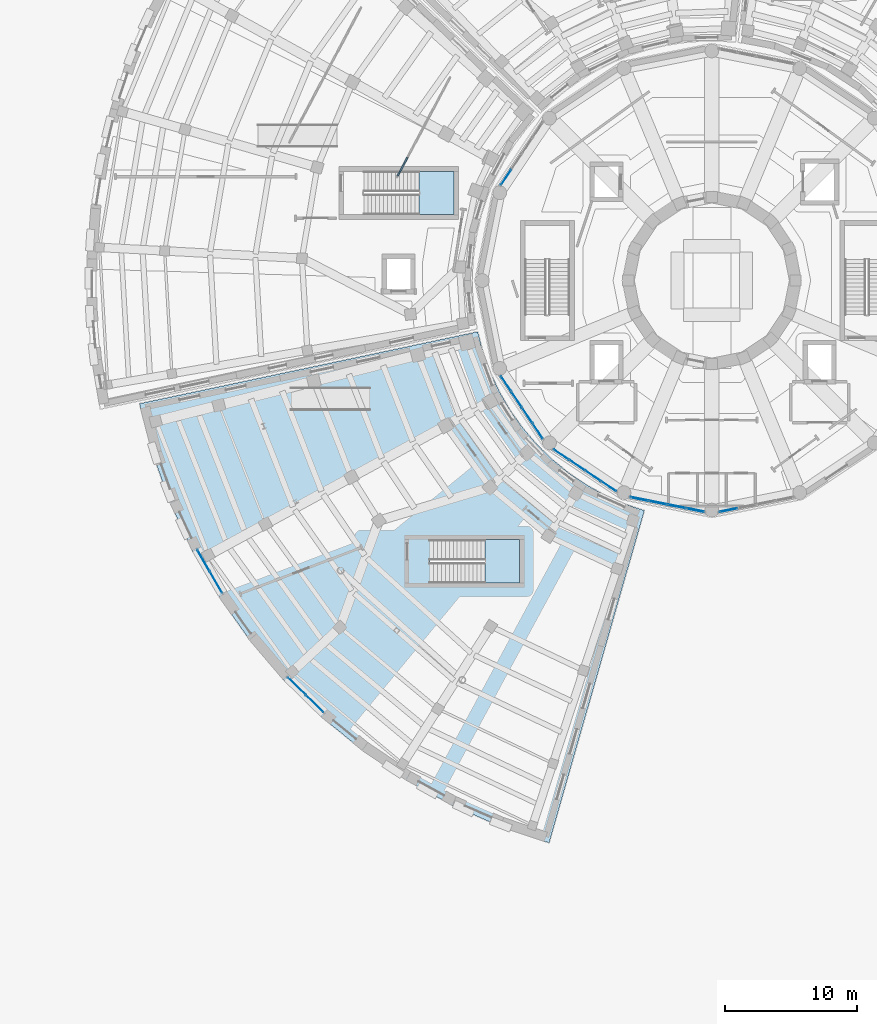
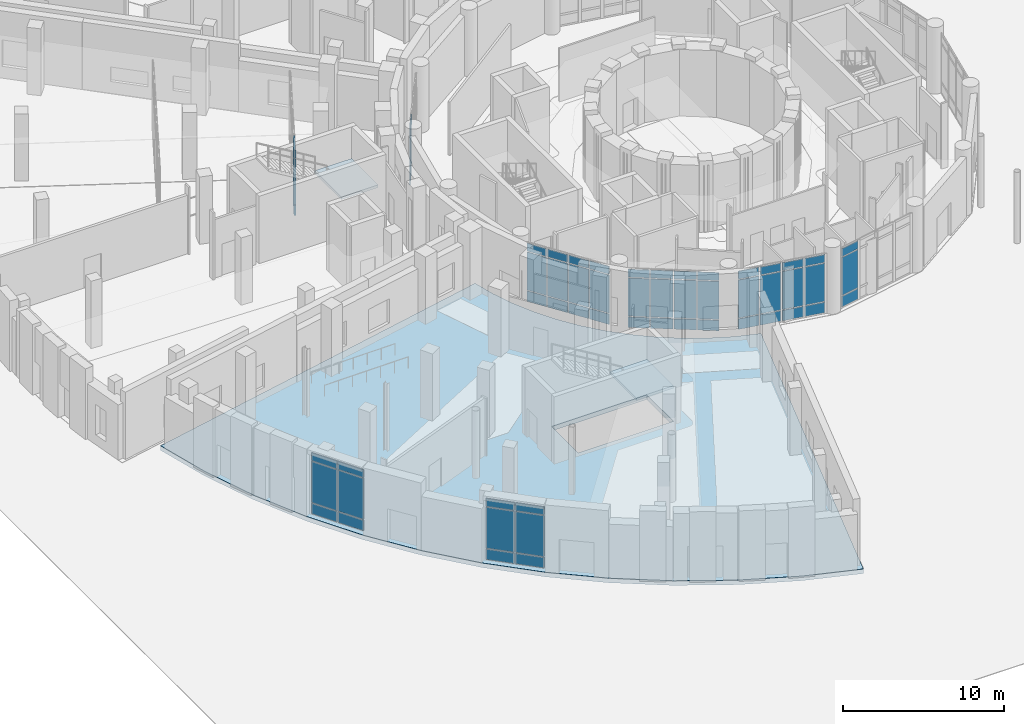
# One storey, part 33 of 74: 57 plates, 3 slabs, 10 elements without a shape of their own.
"""IFC4 building model written with IfcOpenShell, lengths in metres."""

from ifc_helpers import new_model, si_unit, direction, frame, origin, origin_2d, place, context, subcontext, project, spatial, polyline, rectangle, outline, extrude, material, layer, layer_set, type_object, element, aggregate, save


model = new_model("IFC4")

# Units and contexts
model_context = context("Model", 3, precision=1e-05, world=origin(), true_north=direction((0.0, 1.0)))
body_context = subcontext(model_context, "Body", "Model", "MODEL_VIEW")
ifc_project = project(units=[si_unit("LENGTHUNIT", "METRE"), si_unit("AREAUNIT", "SQUARE_METRE"), si_unit("VOLUMEUNIT", "CUBIC_METRE"), si_unit("PLANEANGLEUNIT", "RADIAN"), si_unit("MASSUNIT", "GRAM", prefix="KILO")], contexts=[model_context])

# Site, building, storey
site_placement = place(None, origin())
site = spatial("IfcSite", under=ifc_project, at=site_placement, CompositionType="ELEMENT")
building_placement = place(site_placement, origin())
building = spatial("IfcBuilding", under=site, at=building_placement, Name="Soyqirgoq Riverine Aquarium", CompositionType="ELEMENT")
storey_placement = place(building_placement, origin())
storey = spatial("IfcBuildingStorey", under=building, at=storey_placement, Name="L01", CompositionType="ELEMENT", Elevation=0.0)

# Curtain wall, plates
ifc_material_1 = material(Name="Cast polymethyl methacrylate PMMA Habitat Viewing Glazing", Category="glass")
curtain_wall_type_1 = type_object("IfcCurtainWallType", Name="CW_Interior_TankVitrine", PredefinedType="NOTDEFINED", material=ifc_material_1)
curtain_wall_1_placement = place(storey_placement, origin())
curtain_wall_1 = element("IfcCurtainWall", 1, at=curtain_wall_1_placement, inside=storey, type_object=curtain_wall_type_1, Name="V3 L01 Curtain Wall 147", PredefinedType="NOTDEFINED")
ifc_material_2 = material(Name="Cast polymethyl methacrylate PMMA", Category="glass")
ifc_layer_1 = layer(ifc_material_2, 0.1201171875)
ifc_layer_set_1 = layer_set([ifc_layer_1], Name="Cast polymethyl methacrylate PMMA")
plate_type_1 = type_object("IfcPlateType", Name="CWAcrylicPanel_120", PredefinedType="CURTAIN_PANEL", material=ifc_layer_set_1)
plate_1_placement = place(storey_placement, frame((32.4912109375, 65.648193359375, 0.074951171875), z_axis=(0.0, 0.0, 1.0), x_axis=(-0.469472953199, -0.882946853562, 0.0)))
plate_1 = element("IfcPlate", 2, at=plate_1_placement, type_object=plate_type_1, Name="CW-07 panel 5.1", PredefinedType="CURTAIN_PANEL", context=body_context, shape_type="SweptSolid", body=[
    extrude(rectangle(XDim=1.59033203125, YDim=0.1201171875, at=origin_2d()), origin(), (0.0, 0.0, 1.0), 0.78759765625),
])
plate_2_placement = place(storey_placement, frame((32.4912109375, 65.648193359375, 0.9375), z_axis=(0.0, 0.0, 1.0), x_axis=(-0.469472953199, -0.882946853562, 0.0)))
plate_2 = element("IfcPlate", 3, at=plate_2_placement, type_object=plate_type_1, Name="CW-07 panel 5.2", PredefinedType="CURTAIN_PANEL", context=body_context, shape_type="SweptSolid", body=[
    extrude(rectangle(XDim=1.59033203125, YDim=0.1201171875, at=origin_2d()), origin(), (0.0, 0.0, 1.0), 3.425048828125),
])
plate_3_placement = place(storey_placement, frame((32.4912109375, 65.648193359375, 4.4375), z_axis=(0.0, 0.0, 1.0), x_axis=(-0.469472953199, -0.882946853562, 0.0)))
plate_3 = element("IfcPlate", 4, at=plate_3_placement, type_object=plate_type_1, Name="CW-07 panel 5.3", PredefinedType="CURTAIN_PANEL", context=body_context, shape_type="SweptSolid", body=[
    extrude(rectangle(XDim=1.59033203125, YDim=0.1201171875, at=origin_2d()), origin(), (0.0, 0.0, 1.0), 0.58740234375),
])
aggregate(curtain_wall_1, [plate_1, plate_2, plate_3])

ifc_material_3 = material(Name="Anodised aluminium thermally broken triple low-E glazing", Category="aluminium")
curtain_wall_type_2 = type_object("IfcCurtainWallType", Name="CW_DrumGallery_Unitised", PredefinedType="NOTDEFINED", material=ifc_material_3)
curtain_wall_2_placement = place(storey_placement, origin())
curtain_wall_2 = element("IfcCurtainWall", 5, at=curtain_wall_2_placement, inside=storey, type_object=curtain_wall_type_2, Name="V1 L01 Curtain Wall 023", PredefinedType="NOTDEFINED")
ifc_material_4 = material(Name="Triple insulated laminated low-E glass", Category="glass")
ifc_layer_2 = layer(ifc_material_4, 0.0458984375)
ifc_layer_set_2 = layer_set([ifc_layer_2], Name="Triple insulated laminated low-E glass")
plate_type_2 = type_object("IfcPlateType", Name="CWGlazedPanel_46", PredefinedType="CURTAIN_PANEL", material=ifc_layer_set_2)
plate_4_placement = place(storey_placement, frame((40.36083984375, 64.841552734375, 0.074951171875), z_axis=(0.0, 0.0, 1.0), x_axis=(-0.555573730262, -0.831467275509, 0.0)))
plate_4 = element("IfcPlate", 6, at=plate_4_placement, type_object=plate_type_2, Name="CW-01 panel 4.1", PredefinedType="CURTAIN_PANEL", context=body_context, shape_type="SweptSolid", body=[
    extrude(rectangle(XDim=1.339111328125, YDim=0.0458984375, at=origin_2d()), origin(), (0.0, 0.0, 1.0), 0.78759765625),
])
plate_5_placement = place(storey_placement, frame((40.36083984375, 64.841552734375, 0.9375), z_axis=(0.0, 0.0, 1.0), x_axis=(-0.555573730262, -0.831467275509, 0.0)))
plate_5 = element("IfcPlate", 7, at=plate_5_placement, type_object=plate_type_2, Name="CW-01 panel 4.2", PredefinedType="CURTAIN_PANEL", context=body_context, shape_type="SweptSolid", body=[
    extrude(rectangle(XDim=1.339111328125, YDim=0.0458984375, at=origin_2d()), origin(), (0.0, 0.0, 1.0), 2.875),
])
plate_6_placement = place(storey_placement, frame((40.36083984375, 64.841552734375, 3.887451171875), z_axis=(0.0, 0.0, 1.0), x_axis=(-0.555573730262, -0.831467275509, 0.0)))
plate_6 = element("IfcPlate", 8, at=plate_6_placement, type_object=plate_type_2, Name="CW-01 panel 4.3", PredefinedType="CURTAIN_PANEL", context=body_context, shape_type="SweptSolid", body=[
    extrude(rectangle(XDim=1.339111328125, YDim=0.0458984375, at=origin_2d()), origin(), (0.0, 0.0, 1.0), 0.58740234375),
])
aggregate(curtain_wall_2, [plate_4, plate_5, plate_6])

curtain_wall_3_placement = place(storey_placement, origin())
curtain_wall_3 = element("IfcCurtainWall", 9, at=curtain_wall_3_placement, inside=storey, type_object=curtain_wall_type_2, Name="V1 L01 Curtain Wall 034", PredefinedType="NOTDEFINED")
plate_7_placement = place(storey_placement, frame((40.36083984375, 49.158447265625, 0.074951171875), z_axis=(0.0, 0.0, 1.0), x_axis=(0.555573730262, -0.831467275509, 0.0)))
plate_7 = element("IfcPlate", 10, at=plate_7_placement, type_object=plate_type_2, Name="CW-01 panel 1.1", PredefinedType="CURTAIN_PANEL", context=body_context, shape_type="SweptSolid", body=[
    extrude(rectangle(XDim=1.339111328125, YDim=0.0458984375, at=origin_2d()), origin(), (0.0, 0.0, 1.0), 0.78759765625),
])
plate_8_placement = place(storey_placement, frame((40.36083984375, 49.158447265625, 0.9375), z_axis=(0.0, 0.0, 1.0), x_axis=(0.555573730262, -0.831467275509, 0.0)))
plate_8 = element("IfcPlate", 11, at=plate_8_placement, type_object=plate_type_2, Name="CW-01 panel 1.2", PredefinedType="CURTAIN_PANEL", context=body_context, shape_type="SweptSolid", body=[
    extrude(rectangle(XDim=1.339111328125, YDim=0.0458984375, at=origin_2d()), origin(), (0.0, 0.0, 1.0), 2.875),
])
plate_9_placement = place(storey_placement, frame((40.36083984375, 49.158447265625, 3.887451171875), z_axis=(0.0, 0.0, 1.0), x_axis=(0.555573730262, -0.831467275509, 0.0)))
plate_9 = element("IfcPlate", 12, at=plate_9_placement, type_object=plate_type_2, Name="CW-01 panel 1.3", PredefinedType="CURTAIN_PANEL", context=body_context, shape_type="SweptSolid", body=[
    extrude(rectangle(XDim=1.339111328125, YDim=0.0458984375, at=origin_2d()), origin(), (0.0, 0.0, 1.0), 0.58740234375),
])
plate_10_placement = place(storey_placement, frame((41.160400390625, 47.9619140625, 0.074951171875), z_axis=(0.0, 0.0, 1.0), x_axis=(0.555573730262, -0.831467275509, 0.0)))
plate_10 = element("IfcPlate", 13, at=plate_10_placement, type_object=plate_type_2, Name="CW-01 panel 2.1", PredefinedType="CURTAIN_PANEL", context=body_context, shape_type="SweptSolid", body=[
    extrude(rectangle(XDim=1.379150390625, YDim=0.0458984375, at=origin_2d()), origin(), (0.0, 0.0, 1.0), 0.78759765625),
])
plate_11_placement = place(storey_placement, frame((41.160400390625, 47.9619140625, 0.9375), z_axis=(0.0, 0.0, 1.0), x_axis=(0.555573730262, -0.831467275509, 0.0)))
plate_11 = element("IfcPlate", 14, at=plate_11_placement, type_object=plate_type_2, Name="CW-01 panel 2.2", PredefinedType="CURTAIN_PANEL", context=body_context, shape_type="SweptSolid", body=[
    extrude(rectangle(XDim=1.379150390625, YDim=0.0458984375, at=origin_2d()), origin(), (0.0, 0.0, 1.0), 2.875),
])
plate_12_placement = place(storey_placement, frame((41.160400390625, 47.9619140625, 3.887451171875), z_axis=(0.0, 0.0, 1.0), x_axis=(0.555573730262, -0.831467275509, 0.0)))
plate_12 = element("IfcPlate", 15, at=plate_12_placement, type_object=plate_type_2, Name="CW-01 panel 2.3", PredefinedType="CURTAIN_PANEL", context=body_context, shape_type="SweptSolid", body=[
    extrude(rectangle(XDim=1.379150390625, YDim=0.0458984375, at=origin_2d()), origin(), (0.0, 0.0, 1.0), 0.58740234375),
])
plate_13_placement = place(storey_placement, frame((41.970947265625, 46.748779296875, 0.074951171875), z_axis=(0.0, 0.0, 1.0), x_axis=(0.555573730262, -0.831467275509, 0.0)))
plate_13 = element("IfcPlate", 16, at=plate_13_placement, type_object=plate_type_2, Name="CW-01 panel 3.1", PredefinedType="CURTAIN_PANEL", context=body_context, shape_type="SweptSolid", body=[
    extrude(rectangle(XDim=1.379150390625, YDim=0.0458984375, at=origin_2d()), origin(), (0.0, 0.0, 1.0), 0.78759765625),
])
plate_14_placement = place(storey_placement, frame((41.970947265625, 46.748779296875, 0.9375), z_axis=(0.0, 0.0, 1.0), x_axis=(0.555573730262, -0.831467275509, 0.0)))
plate_14 = element("IfcPlate", 17, at=plate_14_placement, type_object=plate_type_2, Name="CW-01 panel 3.2", PredefinedType="CURTAIN_PANEL", context=body_context, shape_type="SweptSolid", body=[
    extrude(rectangle(XDim=1.379150390625, YDim=0.0458984375, at=origin_2d()), origin(), (0.0, 0.0, 1.0), 2.875),
])
plate_15_placement = place(storey_placement, frame((41.970947265625, 46.748779296875, 3.887451171875), z_axis=(0.0, 0.0, 1.0), x_axis=(0.555573730262, -0.831467275509, 0.0)))
plate_15 = element("IfcPlate", 18, at=plate_15_placement, type_object=plate_type_2, Name="CW-01 panel 3.3", PredefinedType="CURTAIN_PANEL", context=body_context, shape_type="SweptSolid", body=[
    extrude(rectangle(XDim=1.379150390625, YDim=0.0458984375, at=origin_2d()), origin(), (0.0, 0.0, 1.0), 0.58740234375),
])
plate_16_placement = place(storey_placement, frame((42.7705078125, 45.55224609375, 0.074951171875), z_axis=(0.0, 0.0, 1.0), x_axis=(0.555573730262, -0.831467275509, 0.0)))
plate_16 = element("IfcPlate", 19, at=plate_16_placement, type_object=plate_type_2, Name="CW-01 panel 4.1", PredefinedType="CURTAIN_PANEL", context=body_context, shape_type="SweptSolid", body=[
    extrude(rectangle(XDim=1.339111328125, YDim=0.0458984375, at=origin_2d()), origin(), (0.0, 0.0, 1.0), 0.78759765625),
])
plate_17_placement = place(storey_placement, frame((42.7705078125, 45.55224609375, 0.9375), z_axis=(0.0, 0.0, 1.0), x_axis=(0.555573730262, -0.831467275509, 0.0)))
plate_17 = element("IfcPlate", 20, at=plate_17_placement, type_object=plate_type_2, Name="CW-01 panel 4.2", PredefinedType="CURTAIN_PANEL", context=body_context, shape_type="SweptSolid", body=[
    extrude(rectangle(XDim=1.339111328125, YDim=0.0458984375, at=origin_2d()), origin(), (0.0, 0.0, 1.0), 2.875),
])
plate_18_placement = place(storey_placement, frame((42.7705078125, 45.55224609375, 3.887451171875), z_axis=(0.0, 0.0, 1.0), x_axis=(0.555573730262, -0.831467275509, 0.0)))
plate_18 = element("IfcPlate", 21, at=plate_18_placement, type_object=plate_type_2, Name="CW-01 panel 4.3", PredefinedType="CURTAIN_PANEL", context=body_context, shape_type="SweptSolid", body=[
    extrude(rectangle(XDim=1.339111328125, YDim=0.0458984375, at=origin_2d()), origin(), (0.0, 0.0, 1.0), 0.58740234375),
])
aggregate(curtain_wall_3, [plate_7, plate_8, plate_9, plate_10, plate_11, plate_12, plate_13, plate_14, plate_15, plate_16, plate_17, plate_18])

curtain_wall_4_placement = place(storey_placement, origin())
curtain_wall_4 = element("IfcCurtainWall", 22, at=curtain_wall_4_placement, inside=storey, type_object=curtain_wall_type_2, Name="V1 L01 Curtain Wall 041", PredefinedType="NOTDEFINED")
plate_19_placement = place(storey_placement, frame((44.55224609375, 43.7705078125, 0.074951171875), z_axis=(0.0, 0.0, 1.0), x_axis=(0.831467275509, -0.555573730262, 0.0)))
plate_19 = element("IfcPlate", 23, at=plate_19_placement, type_object=plate_type_2, Name="CW-01 panel 1.1", PredefinedType="CURTAIN_PANEL", context=body_context, shape_type="SweptSolid", body=[
    extrude(rectangle(XDim=1.339111328125, YDim=0.0458984375, at=origin_2d()), origin(), (0.0, 0.0, 1.0), 0.78759765625),
])
plate_20_placement = place(storey_placement, frame((44.55224609375, 43.7705078125, 0.9375), z_axis=(0.0, 0.0, 1.0), x_axis=(0.831467275509, -0.555573730262, 0.0)))
plate_20 = element("IfcPlate", 24, at=plate_20_placement, type_object=plate_type_2, Name="CW-01 panel 1.2", PredefinedType="CURTAIN_PANEL", context=body_context, shape_type="SweptSolid", body=[
    extrude(rectangle(XDim=1.339111328125, YDim=0.0458984375, at=origin_2d()), origin(), (0.0, 0.0, 1.0), 2.875),
])
plate_21_placement = place(storey_placement, frame((44.55224609375, 43.7705078125, 3.887451171875), z_axis=(0.0, 0.0, 1.0), x_axis=(0.831467275509, -0.555573730262, 0.0)))
plate_21 = element("IfcPlate", 25, at=plate_21_placement, type_object=plate_type_2, Name="CW-01 panel 1.3", PredefinedType="CURTAIN_PANEL", context=body_context, shape_type="SweptSolid", body=[
    extrude(rectangle(XDim=1.339111328125, YDim=0.0458984375, at=origin_2d()), origin(), (0.0, 0.0, 1.0), 0.58740234375),
])
plate_22_placement = place(storey_placement, frame((45.748779296875, 42.970947265625, 0.074951171875), z_axis=(0.0, 0.0, 1.0), x_axis=(0.831467275509, -0.555573730262, 0.0)))
plate_22 = element("IfcPlate", 26, at=plate_22_placement, type_object=plate_type_2, Name="CW-01 panel 2.1", PredefinedType="CURTAIN_PANEL", context=body_context, shape_type="SweptSolid", body=[
    extrude(rectangle(XDim=1.379150390625, YDim=0.0458984375, at=origin_2d()), origin(), (0.0, 0.0, 1.0), 0.78759765625),
])
plate_23_placement = place(storey_placement, frame((45.748779296875, 42.970947265625, 0.9375), z_axis=(0.0, 0.0, 1.0), x_axis=(0.831467275509, -0.555573730262, 0.0)))
plate_23 = element("IfcPlate", 27, at=plate_23_placement, type_object=plate_type_2, Name="CW-01 panel 2.2", PredefinedType="CURTAIN_PANEL", context=body_context, shape_type="SweptSolid", body=[
    extrude(rectangle(XDim=1.379150390625, YDim=0.0458984375, at=origin_2d()), origin(), (0.0, 0.0, 1.0), 2.875),
])
plate_24_placement = place(storey_placement, frame((45.748779296875, 42.970947265625, 3.887451171875), z_axis=(0.0, 0.0, 1.0), x_axis=(0.831467275509, -0.555573730262, 0.0)))
plate_24 = element("IfcPlate", 28, at=plate_24_placement, type_object=plate_type_2, Name="CW-01 panel 2.3", PredefinedType="CURTAIN_PANEL", context=body_context, shape_type="SweptSolid", body=[
    extrude(rectangle(XDim=1.379150390625, YDim=0.0458984375, at=origin_2d()), origin(), (0.0, 0.0, 1.0), 0.58740234375),
])
plate_25_placement = place(storey_placement, frame((46.9619140625, 42.160400390625, 0.074951171875), z_axis=(0.0, 0.0, 1.0), x_axis=(0.831467275509, -0.555573730262, 0.0)))
plate_25 = element("IfcPlate", 29, at=plate_25_placement, type_object=plate_type_2, Name="CW-01 panel 3.1", PredefinedType="CURTAIN_PANEL", context=body_context, shape_type="SweptSolid", body=[
    extrude(rectangle(XDim=1.379150390625, YDim=0.0458984375, at=origin_2d()), origin(), (0.0, 0.0, 1.0), 0.78759765625),
])
plate_26_placement = place(storey_placement, frame((46.9619140625, 42.160400390625, 0.9375), z_axis=(0.0, 0.0, 1.0), x_axis=(0.831467275509, -0.555573730262, 0.0)))
plate_26 = element("IfcPlate", 30, at=plate_26_placement, type_object=plate_type_2, Name="CW-01 panel 3.2", PredefinedType="CURTAIN_PANEL", context=body_context, shape_type="SweptSolid", body=[
    extrude(rectangle(XDim=1.379150390625, YDim=0.0458984375, at=origin_2d()), origin(), (0.0, 0.0, 1.0), 2.875),
])
plate_27_placement = place(storey_placement, frame((46.9619140625, 42.160400390625, 3.887451171875), z_axis=(0.0, 0.0, 1.0), x_axis=(0.831467275509, -0.555573730262, 0.0)))
plate_27 = element("IfcPlate", 31, at=plate_27_placement, type_object=plate_type_2, Name="CW-01 panel 3.3", PredefinedType="CURTAIN_PANEL", context=body_context, shape_type="SweptSolid", body=[
    extrude(rectangle(XDim=1.379150390625, YDim=0.0458984375, at=origin_2d()), origin(), (0.0, 0.0, 1.0), 0.58740234375),
])
plate_28_placement = place(storey_placement, frame((48.158447265625, 41.36083984375, 0.074951171875), z_axis=(0.0, 0.0, 1.0), x_axis=(0.831467275509, -0.555573730262, 0.0)))
plate_28 = element("IfcPlate", 32, at=plate_28_placement, type_object=plate_type_2, Name="CW-01 panel 4.1", PredefinedType="CURTAIN_PANEL", context=body_context, shape_type="SweptSolid", body=[
    extrude(rectangle(XDim=1.339111328125, YDim=0.0458984375, at=origin_2d()), origin(), (0.0, 0.0, 1.0), 0.78759765625),
])
plate_29_placement = place(storey_placement, frame((48.158447265625, 41.36083984375, 0.9375), z_axis=(0.0, 0.0, 1.0), x_axis=(0.831467275509, -0.555573730262, 0.0)))
plate_29 = element("IfcPlate", 33, at=plate_29_placement, type_object=plate_type_2, Name="CW-01 panel 4.2", PredefinedType="CURTAIN_PANEL", context=body_context, shape_type="SweptSolid", body=[
    extrude(rectangle(XDim=1.339111328125, YDim=0.0458984375, at=origin_2d()), origin(), (0.0, 0.0, 1.0), 2.875),
])
plate_30_placement = place(storey_placement, frame((48.158447265625, 41.36083984375, 3.887451171875), z_axis=(0.0, 0.0, 1.0), x_axis=(0.831467275509, -0.555573730262, 0.0)))
plate_30 = element("IfcPlate", 34, at=plate_30_placement, type_object=plate_type_2, Name="CW-01 panel 4.3", PredefinedType="CURTAIN_PANEL", context=body_context, shape_type="SweptSolid", body=[
    extrude(rectangle(XDim=1.339111328125, YDim=0.0458984375, at=origin_2d()), origin(), (0.0, 0.0, 1.0), 0.58740234375),
])
aggregate(curtain_wall_4, [plate_19, plate_20, plate_21, plate_22, plate_23, plate_24, plate_25, plate_26, plate_27, plate_28, plate_29, plate_30])

curtain_wall_5_placement = place(storey_placement, origin())
curtain_wall_5 = element("IfcCurtainWall", 35, at=curtain_wall_5_placement, inside=storey, type_object=curtain_wall_type_2, Name="V1 L01 Curtain Wall 055", PredefinedType="NOTDEFINED")
plate_31_placement = place(storey_placement, frame((57.259765625, 39.550537109375, 0.074951171875), z_axis=(0.0, 0.0, 1.0), x_axis=(0.980788371338, 0.195074782196, 0.0)))
plate_31 = element("IfcPlate", 36, at=plate_31_placement, type_object=plate_type_2, Name="CW-01 panel 1.1", PredefinedType="CURTAIN_PANEL", context=body_context, shape_type="SweptSolid", body=[
    extrude(rectangle(XDim=1.339111328125, YDim=0.0458984375, at=origin_2d()), origin(), (0.0, 0.0, 1.0), 0.78759765625),
])
plate_32_placement = place(storey_placement, frame((57.259765625, 39.550537109375, 0.9375), z_axis=(0.0, 0.0, 1.0), x_axis=(0.980788371338, 0.195074782196, 0.0)))
plate_32 = element("IfcPlate", 37, at=plate_32_placement, type_object=plate_type_2, Name="CW-01 panel 1.2", PredefinedType="CURTAIN_PANEL", context=body_context, shape_type="SweptSolid", body=[
    extrude(rectangle(XDim=1.339111328125, YDim=0.0458984375, at=origin_2d()), origin(), (0.0, 0.0, 1.0), 2.875),
])
plate_33_placement = place(storey_placement, frame((57.259765625, 39.550537109375, 3.887451171875), z_axis=(0.0, 0.0, 1.0), x_axis=(0.980788371338, 0.195074782196, 0.0)))
plate_33 = element("IfcPlate", 38, at=plate_33_placement, type_object=plate_type_2, Name="CW-01 panel 1.3", PredefinedType="CURTAIN_PANEL", context=body_context, shape_type="SweptSolid", body=[
    extrude(rectangle(XDim=1.339111328125, YDim=0.0458984375, at=origin_2d()), origin(), (0.0, 0.0, 1.0), 0.58740234375),
])
aggregate(curtain_wall_5, [plate_31, plate_32, plate_33])

ifc_material_5 = material(Name="Structural silicone glazed entrance curtain wall", Category="aluminium")
curtain_wall_type_3 = type_object("IfcCurtainWallType", Name="CW_Portal_Entrance", PredefinedType="NOTDEFINED", material=ifc_material_5)
curtain_wall_6_placement = place(storey_placement, origin())
curtain_wall_6 = element("IfcCurtainWall", 39, at=curtain_wall_6_placement, inside=storey, type_object=curtain_wall_type_3, Name="V2 L01 Curtain Wall 079", PredefinedType="NOTDEFINED")
plate_34_placement = place(storey_placement, frame((25.814453125, 24.828857421875, 0.074951171875), z_axis=(0.0, 0.0, 1.0), x_axis=(-0.714262829357, 0.699877568292, 0.0)))
plate_34 = element("IfcPlate", 40, at=plate_34_placement, type_object=plate_type_2, Name="CW-04 panel 1.1", PredefinedType="CURTAIN_PANEL", context=body_context, shape_type="SweptSolid", body=[
    extrude(rectangle(XDim=1.829833984375, YDim=0.0458984375, at=origin_2d()), origin(), (0.0, 0.0, 1.0), 0.78759765625),
])
plate_35_placement = place(storey_placement, frame((25.814453125, 24.828857421875, 0.9375), z_axis=(0.0, 0.0, 1.0), x_axis=(-0.714262829357, 0.699877568292, 0.0)))
plate_35 = element("IfcPlate", 41, at=plate_35_placement, type_object=plate_type_2, Name="CW-04 panel 1.2", PredefinedType="CURTAIN_PANEL", context=body_context, shape_type="SweptSolid", body=[
    extrude(rectangle(XDim=1.829833984375, YDim=0.0458984375, at=origin_2d()), origin(), (0.0, 0.0, 1.0), 3.094970703125),
])
plate_36_placement = place(storey_placement, frame((25.814453125, 24.828857421875, 4.107666015625), z_axis=(0.0, 0.0, 1.0), x_axis=(-0.714262829357, 0.699877568292, 0.0)))
plate_36 = element("IfcPlate", 42, at=plate_36_placement, type_object=plate_type_2, Name="CW-04 panel 1.3", PredefinedType="CURTAIN_PANEL", context=body_context, shape_type="SweptSolid", body=[
    extrude(rectangle(XDim=1.829833984375, YDim=0.0458984375, at=origin_2d()), origin(), (0.0, 0.0, 1.0), 0.58740234375),
])
plate_37_placement = place(storey_placement, frame((24.4501953125, 26.165771484375, 0.074951171875), z_axis=(0.0, 0.0, 1.0), x_axis=(-0.714262829357, 0.699877568292, 0.0)))
plate_37 = element("IfcPlate", 43, at=plate_37_placement, type_object=plate_type_2, Name="CW-04 panel 2.1", PredefinedType="CURTAIN_PANEL", context=body_context, shape_type="SweptSolid", body=[
    extrude(rectangle(XDim=1.829833984375, YDim=0.0458984375, at=origin_2d()), origin(), (0.0, 0.0, 1.0), 0.78759765625),
])
plate_38_placement = place(storey_placement, frame((24.4501953125, 26.165771484375, 0.9375), z_axis=(0.0, 0.0, 1.0), x_axis=(-0.714262829357, 0.699877568292, 0.0)))
plate_38 = element("IfcPlate", 44, at=plate_38_placement, type_object=plate_type_2, Name="CW-04 panel 2.2", PredefinedType="CURTAIN_PANEL", context=body_context, shape_type="SweptSolid", body=[
    extrude(rectangle(XDim=1.829833984375, YDim=0.0458984375, at=origin_2d()), origin(), (0.0, 0.0, 1.0), 3.094970703125),
])
plate_39_placement = place(storey_placement, frame((24.4501953125, 26.165771484375, 4.107666015625), z_axis=(0.0, 0.0, 1.0), x_axis=(-0.714262829357, 0.699877568292, 0.0)))
plate_39 = element("IfcPlate", 45, at=plate_39_placement, type_object=plate_type_2, Name="CW-04 panel 2.3", PredefinedType="CURTAIN_PANEL", context=body_context, shape_type="SweptSolid", body=[
    extrude(rectangle(XDim=1.829833984375, YDim=0.0458984375, at=origin_2d()), origin(), (0.0, 0.0, 1.0), 0.58740234375),
])
aggregate(curtain_wall_6, [plate_34, plate_35, plate_36, plate_37, plate_38, plate_39])

curtain_wall_7_placement = place(storey_placement, origin())
curtain_wall_7 = element("IfcCurtainWall", 46, at=curtain_wall_7_placement, inside=storey, type_object=curtain_wall_type_3, Name="V2 L01 Curtain Wall 080", PredefinedType="NOTDEFINED")
plate_40_placement = place(storey_placement, frame((18.31494140625, 34.065673828125, 0.074951171875), z_axis=(0.0, 0.0, 1.0), x_axis=(-0.501263674342, 0.865294590752, 0.0)))
plate_40 = element("IfcPlate", 47, at=plate_40_placement, type_object=plate_type_2, Name="CW-04 panel 1.1", PredefinedType="CURTAIN_PANEL", context=body_context, shape_type="SweptSolid", body=[
    extrude(rectangle(XDim=1.830078125, YDim=0.0458984375, at=origin_2d()), origin(), (0.0, 0.0, 1.0), 0.78759765625),
])
plate_41_placement = place(storey_placement, frame((18.31494140625, 34.065673828125, 0.9375), z_axis=(0.0, 0.0, 1.0), x_axis=(-0.501263674342, 0.865294590752, 0.0)))
plate_41 = element("IfcPlate", 48, at=plate_41_placement, type_object=plate_type_2, Name="CW-04 panel 1.2", PredefinedType="CURTAIN_PANEL", context=body_context, shape_type="SweptSolid", body=[
    extrude(rectangle(XDim=1.830078125, YDim=0.0458984375, at=origin_2d()), origin(), (0.0, 0.0, 1.0), 3.094970703125),
])
plate_42_placement = place(storey_placement, frame((18.31494140625, 34.065673828125, 4.107666015625), z_axis=(0.0, 0.0, 1.0), x_axis=(-0.501263674342, 0.865294590752, 0.0)))
plate_42 = element("IfcPlate", 49, at=plate_42_placement, type_object=plate_type_2, Name="CW-04 panel 1.3", PredefinedType="CURTAIN_PANEL", context=body_context, shape_type="SweptSolid", body=[
    extrude(rectangle(XDim=1.830078125, YDim=0.0458984375, at=origin_2d()), origin(), (0.0, 0.0, 1.0), 0.58740234375),
])
plate_43_placement = place(storey_placement, frame((17.357666015625, 35.718505859375, 0.074951171875), z_axis=(0.0, 0.0, 1.0), x_axis=(-0.501263674342, 0.865294590752, 0.0)))
plate_43 = element("IfcPlate", 50, at=plate_43_placement, type_object=plate_type_2, Name="CW-04 panel 2.1", PredefinedType="CURTAIN_PANEL", context=body_context, shape_type="SweptSolid", body=[
    extrude(rectangle(XDim=1.830078125, YDim=0.0458984375, at=origin_2d()), origin(), (0.0, 0.0, 1.0), 0.78759765625),
])
plate_44_placement = place(storey_placement, frame((17.357666015625, 35.718505859375, 0.9375), z_axis=(0.0, 0.0, 1.0), x_axis=(-0.501263674342, 0.865294590752, 0.0)))
plate_44 = element("IfcPlate", 51, at=plate_44_placement, type_object=plate_type_2, Name="CW-04 panel 2.2", PredefinedType="CURTAIN_PANEL", context=body_context, shape_type="SweptSolid", body=[
    extrude(rectangle(XDim=1.830078125, YDim=0.0458984375, at=origin_2d()), origin(), (0.0, 0.0, 1.0), 3.094970703125),
])
plate_45_placement = place(storey_placement, frame((17.357666015625, 35.718505859375, 4.107666015625), z_axis=(0.0, 0.0, 1.0), x_axis=(-0.501263674342, 0.865294590752, 0.0)))
plate_45 = element("IfcPlate", 52, at=plate_45_placement, type_object=plate_type_2, Name="CW-04 panel 2.3", PredefinedType="CURTAIN_PANEL", context=body_context, shape_type="SweptSolid", body=[
    extrude(rectangle(XDim=1.830078125, YDim=0.0458984375, at=origin_2d()), origin(), (0.0, 0.0, 1.0), 0.58740234375),
])
aggregate(curtain_wall_7, [plate_40, plate_41, plate_42, plate_43, plate_44, plate_45])

curtain_wall_8_placement = place(storey_placement, origin())
curtain_wall_8 = element("IfcCurtainWall", 53, at=curtain_wall_8_placement, inside=storey, type_object=curtain_wall_type_2, Name="V1 L01 Curtain Wall 048", PredefinedType="NOTDEFINED")
ifc_material_6 = material(Name="Insulated shadow-box aluminium spandrel panel", Category="aluminium")
ifc_layer_3 = layer(ifc_material_6, 0.06005859375)
ifc_layer_set_3 = layer_set([ifc_layer_3], Name="Insulated shadow-box aluminium spandrel panel")
plate_type_3 = type_object("IfcPlateType", Name="CWSpandrelPanel_60", PredefinedType="CURTAIN_PANEL", material=ifc_layer_set_3)
plate_46_placement = place(storey_placement, frame((50.486328125, 40.396728515625, 0.074951171875), z_axis=(0.0, 0.0, 1.0), x_axis=(0.980788371338, -0.195074782196, 0.0)))
plate_46 = element("IfcPlate", 54, at=plate_46_placement, type_object=plate_type_3, Name="CW-01 panel 1.1", PredefinedType="CURTAIN_PANEL", context=body_context, shape_type="SweptSolid", body=[
    extrude(rectangle(XDim=1.339111328125, YDim=0.06005859375, at=origin_2d()), origin(), (0.0, 0.0, 1.0), 0.78759765625),
])
plate_47_placement = place(storey_placement, frame((50.486328125, 40.396728515625, 0.9375), z_axis=(0.0, 0.0, 1.0), x_axis=(0.980788371338, -0.195074782196, 0.0)))
plate_47 = element("IfcPlate", 55, at=plate_47_placement, type_object=plate_type_3, Name="CW-01 panel 1.2", PredefinedType="CURTAIN_PANEL", context=body_context, shape_type="SweptSolid", body=[
    extrude(rectangle(XDim=1.339111328125, YDim=0.06005859375, at=origin_2d()), origin(), (0.0, 0.0, 1.0), 2.875),
])
plate_48_placement = place(storey_placement, frame((50.486328125, 40.396728515625, 3.887451171875), z_axis=(0.0, 0.0, 1.0), x_axis=(0.980788371338, -0.195074782196, 0.0)))
plate_48 = element("IfcPlate", 56, at=plate_48_placement, type_object=plate_type_3, Name="CW-01 panel 1.3", PredefinedType="CURTAIN_PANEL", context=body_context, shape_type="SweptSolid", body=[
    extrude(rectangle(XDim=1.339111328125, YDim=0.06005859375, at=origin_2d()), origin(), (0.0, 0.0, 1.0), 0.58740234375),
])
plate_49_placement = place(storey_placement, frame((51.897705078125, 40.115966796875, 0.074951171875), z_axis=(0.0, 0.0, 1.0), x_axis=(0.980788371338, -0.195074782196, 0.0)))
plate_49 = element("IfcPlate", 57, at=plate_49_placement, type_object=plate_type_3, Name="CW-01 panel 2.1", PredefinedType="CURTAIN_PANEL", context=body_context, shape_type="SweptSolid", body=[
    extrude(rectangle(XDim=1.379150390625, YDim=0.06005859375, at=origin_2d()), origin(), (0.0, 0.0, 1.0), 0.78759765625),
])
plate_50_placement = place(storey_placement, frame((51.897705078125, 40.115966796875, 0.9375), z_axis=(0.0, 0.0, 1.0), x_axis=(0.980788371338, -0.195074782196, 0.0)))
plate_50 = element("IfcPlate", 58, at=plate_50_placement, type_object=plate_type_3, Name="CW-01 panel 2.2", PredefinedType="CURTAIN_PANEL", context=body_context, shape_type="SweptSolid", body=[
    extrude(rectangle(XDim=1.379150390625, YDim=0.06005859375, at=origin_2d()), origin(), (0.0, 0.0, 1.0), 2.875),
])
plate_51_placement = place(storey_placement, frame((51.897705078125, 40.115966796875, 3.887451171875), z_axis=(0.0, 0.0, 1.0), x_axis=(0.980788371338, -0.195074782196, 0.0)))
plate_51 = element("IfcPlate", 59, at=plate_51_placement, type_object=plate_type_3, Name="CW-01 panel 2.3", PredefinedType="CURTAIN_PANEL", context=body_context, shape_type="SweptSolid", body=[
    extrude(rectangle(XDim=1.379150390625, YDim=0.06005859375, at=origin_2d()), origin(), (0.0, 0.0, 1.0), 0.58740234375),
])
plate_52_placement = place(storey_placement, frame((53.328857421875, 39.831298828125, 0.074951171875), z_axis=(0.0, 0.0, 1.0), x_axis=(0.980788371338, -0.195074782196, 0.0)))
plate_52 = element("IfcPlate", 60, at=plate_52_placement, type_object=plate_type_3, Name="CW-01 panel 3.1", PredefinedType="CURTAIN_PANEL", context=body_context, shape_type="SweptSolid", body=[
    extrude(rectangle(XDim=1.379150390625, YDim=0.06005859375, at=origin_2d()), origin(), (0.0, 0.0, 1.0), 0.78759765625),
])
plate_53_placement = place(storey_placement, frame((53.328857421875, 39.831298828125, 0.9375), z_axis=(0.0, 0.0, 1.0), x_axis=(0.980788371338, -0.195074782196, 0.0)))
plate_53 = element("IfcPlate", 61, at=plate_53_placement, type_object=plate_type_3, Name="CW-01 panel 3.2", PredefinedType="CURTAIN_PANEL", context=body_context, shape_type="SweptSolid", body=[
    extrude(rectangle(XDim=1.379150390625, YDim=0.06005859375, at=origin_2d()), origin(), (0.0, 0.0, 1.0), 2.875),
])
plate_54_placement = place(storey_placement, frame((53.328857421875, 39.831298828125, 3.887451171875), z_axis=(0.0, 0.0, 1.0), x_axis=(0.980788371338, -0.195074782196, 0.0)))
plate_54 = element("IfcPlate", 62, at=plate_54_placement, type_object=plate_type_3, Name="CW-01 panel 3.3", PredefinedType="CURTAIN_PANEL", context=body_context, shape_type="SweptSolid", body=[
    extrude(rectangle(XDim=1.379150390625, YDim=0.06005859375, at=origin_2d()), origin(), (0.0, 0.0, 1.0), 0.58740234375),
])
plate_55_placement = place(storey_placement, frame((54.740234375, 39.550537109375, 0.074951171875), z_axis=(0.0, 0.0, 1.0), x_axis=(0.980788371338, -0.195074782196, 0.0)))
plate_55 = element("IfcPlate", 63, at=plate_55_placement, type_object=plate_type_3, Name="CW-01 panel 4.1", PredefinedType="CURTAIN_PANEL", context=body_context, shape_type="SweptSolid", body=[
    extrude(rectangle(XDim=1.339111328125, YDim=0.06005859375, at=origin_2d()), origin(), (0.0, 0.0, 1.0), 0.78759765625),
])
plate_56_placement = place(storey_placement, frame((54.740234375, 39.550537109375, 0.9375), z_axis=(0.0, 0.0, 1.0), x_axis=(0.980788371338, -0.195074782196, 0.0)))
plate_56 = element("IfcPlate", 64, at=plate_56_placement, type_object=plate_type_3, Name="CW-01 panel 4.2", PredefinedType="CURTAIN_PANEL", context=body_context, shape_type="SweptSolid", body=[
    extrude(rectangle(XDim=1.339111328125, YDim=0.06005859375, at=origin_2d()), origin(), (0.0, 0.0, 1.0), 2.875),
])
plate_57_placement = place(storey_placement, frame((54.740234375, 39.550537109375, 3.887451171875), z_axis=(0.0, 0.0, 1.0), x_axis=(0.980788371338, -0.195074782196, 0.0)))
plate_57 = element("IfcPlate", 65, at=plate_57_placement, type_object=plate_type_3, Name="CW-01 panel 4.3", PredefinedType="CURTAIN_PANEL", context=body_context, shape_type="SweptSolid", body=[
    extrude(rectangle(XDim=1.339111328125, YDim=0.06005859375, at=origin_2d()), origin(), (0.0, 0.0, 1.0), 0.58740234375),
])
aggregate(curtain_wall_8, [plate_46, plate_47, plate_48, plate_49, plate_50, plate_51, plate_52, plate_53, plate_54, plate_55, plate_56, plate_57])

# Stair, slab
ifc_material_7 = material(Name="Concrete C35/45", Category="concrete")
stair_type = type_object("IfcStairType", Name="CoreDoglegStair_RC", PredefinedType="HALF_TURN_STAIR", material=ifc_material_7)
stair_1_placement = place(storey_placement, origin())
stair_1 = element("IfcStair", 66, at=stair_1_placement, inside=storey, type_object=stair_type, Name="L01 Enclosed Exit Stair ST-2", PredefinedType="HALF_TURN_STAIR")
ifc_material_8 = material(Name="Concrete C35/45", Category="concrete")
ifc_layer_4 = layer(ifc_material_8, 0.199951171875)
ifc_layer_set_4 = layer_set([ifc_layer_4], Name="Concrete C35/45")
slab_type_1 = type_object("IfcSlabType", Name="CoreStairLanding_RC", PredefinedType="LANDING", material=ifc_layer_set_4)
slab_1_placement = place(storey_placement, frame((0.0, 0.0, 2.5)))
slab_1 = element("IfcSlab", 67, at=slab_1_placement, type_object=slab_type_1, Name="ST-2 landing 1", PredefinedType="LANDING", context=body_context, shape_type="SweptSolid", body=[
    extrude(outline(polyline([(38.75, 34.0), (41.39990234375, 34.0), (41.39990234375, 37.300048828125), (38.75, 37.300048828125), (38.75, 34.0)])), origin(), (0.0, 0.0, 1.0), 0.199951171875),
])
aggregate(stair_1, [slab_1])

stair_2_placement = place(storey_placement, origin())
stair_2 = element("IfcStair", 68, at=stair_2_placement, inside=storey, type_object=stair_type, Name="L01 Enclosed Exit Stair ST-3", PredefinedType="HALF_TURN_STAIR")
slab_2_placement = place(storey_placement, frame((0.0, 0.0, 2.5)))
slab_2 = element("IfcSlab", 69, at=slab_2_placement, type_object=slab_type_1, Name="ST-3 landing 1", PredefinedType="LANDING", context=body_context, shape_type="SweptSolid", body=[
    extrude(outline(polyline([(33.75, 62.0), (36.39990234375, 62.0), (36.39990234375, 65.300048828125), (33.75, 65.300048828125), (33.75, 62.0)])), origin(), (0.0, 0.0, 1.0), 0.199951171875),
])
aggregate(stair_2, [slab_2])

# Slab
ifc_material_9 = material(Name="Concrete C40/50", Category="concrete")
ifc_layer_5 = layer(ifc_material_9, 0.35009765625)
ifc_layer_set_5 = layer_set([ifc_layer_5], Name="Concrete C40/50")
slab_type_2 = type_object("IfcSlabType", Name="FloorSlab_350_C40", PredefinedType="FLOOR", material=ifc_layer_set_5)
slab_3_placement = place(storey_placement, frame((0.0, 0.0, -0.35009765625)))
element("IfcSlab", 70, at=slab_3_placement, inside=storey, type_object=slab_type_2, Name="V2 L01 Suspended Floor Slab", PredefinedType="FLOOR", context=body_context, shape_type="SweptSolid", body=[
    extrude(outline(polyline([(38.205810546875, 53.105224609375), (12.5, 47.641357421875), (13.482421875, 43.86572265625), (14.837890625, 40.09033203125), (16.528076171875, 36.4521484375), (18.538818359375, 32.981201171875), (20.85400390625, 29.705078125), (23.454833984375, 26.651123046875), (26.320068359375, 23.843505859375), (29.426513671875, 21.305419921875), (32.748779296875, 19.0576171875), (36.260009765625, 17.117919921875), (39.931884765625, 15.502197265625), (43.6298828125, 14.259033203125), (50.87353515625, 39.52099609375), (49.421142578125, 40.00927734375), (49.109375, 40.146240234375), (49.02587890625, 40.1630859375), (48.9375, 40.221923828125), (47.917724609375, 40.670654296875), (46.47998046875, 41.46484375), (45.119873046875, 42.38525390625), (43.847900390625, 43.424560546875), (43.211669921875, 44.0478515625), (43.113525390625, 44.113525390625), (43.05419921875, 44.2021484375), (42.6748046875, 44.573974609375), (41.60986328125, 45.824462890625), (40.661865234375, 47.165771484375), (39.838623046875, 48.5869140625), (39.186767578125, 49.990234375), (39.1630859375, 50.02587890625), (38.591796875, 51.622314453125), (38.205810546875, 53.105224609375)]), holes=[polyline([(34.574951171875, 34.0), (41.39990234375, 34.0), (41.39990234375, 37.300048828125), (34.574951171875, 37.300048828125), (34.574951171875, 34.0)])]), origin(), (0.0, 0.0, 1.0), 0.35009765625),
])

save(model, "model.ifc")
